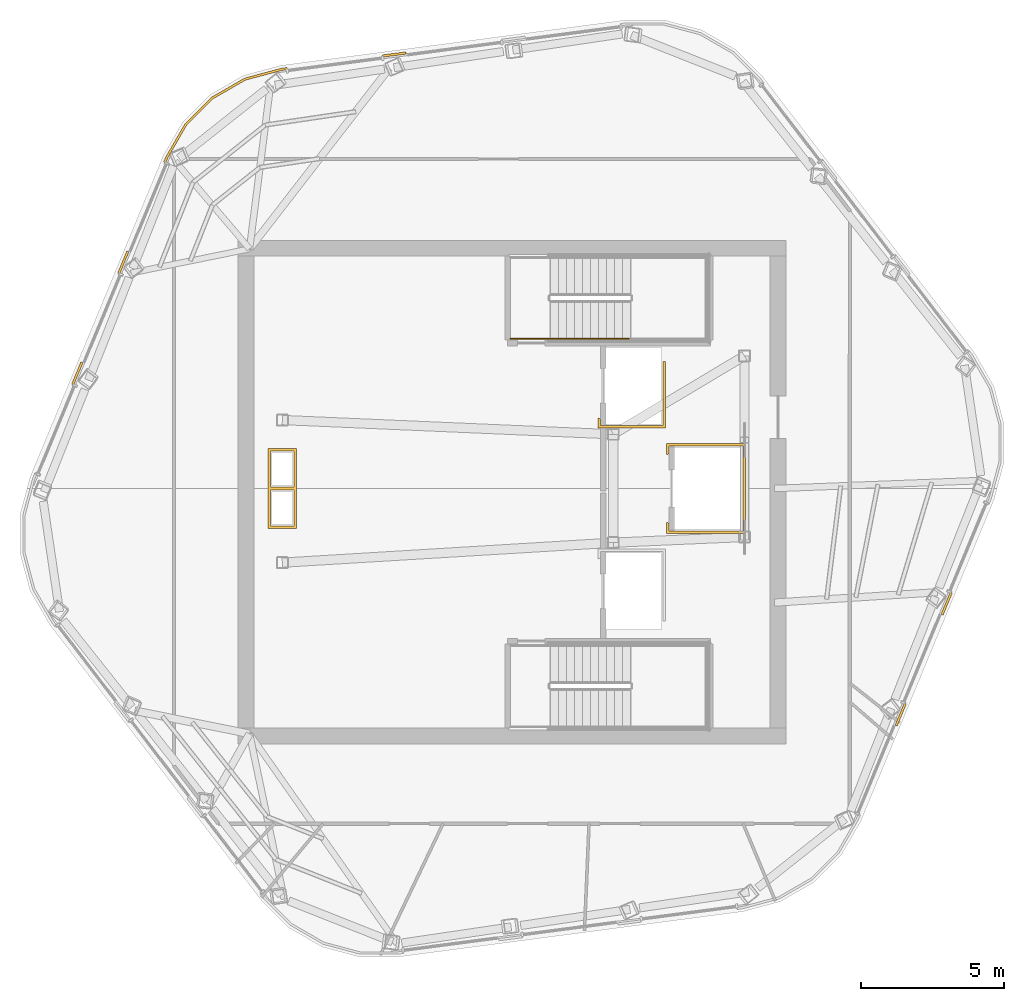
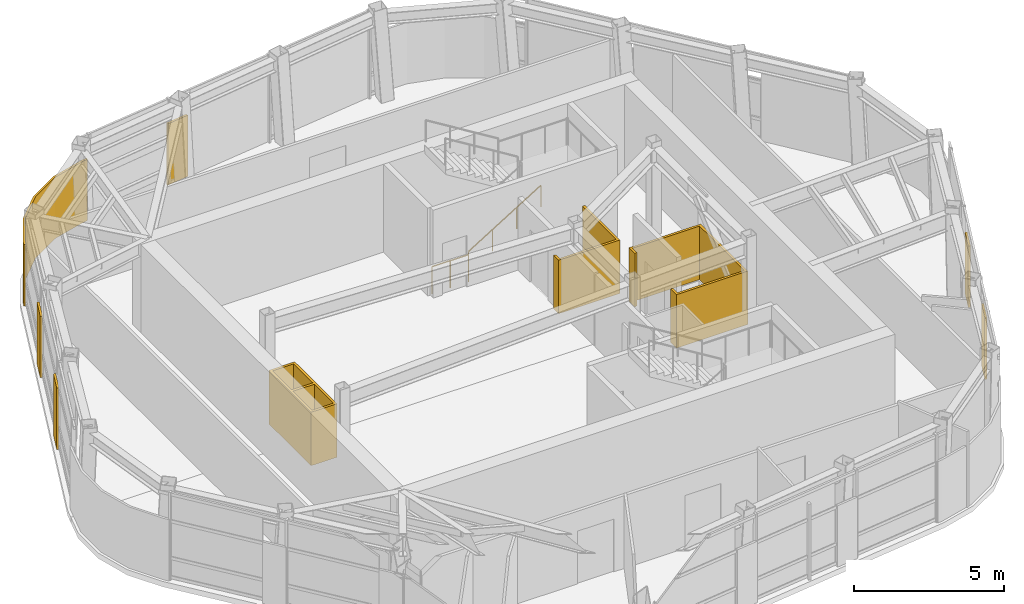
# One storey, part 8 of 9: 9 coverings, 2 railings.
"""IFC4 building model written with IfcOpenShell, lengths in metres."""

from ifc_helpers import new_model, si_unit, direction, frame, origin, origin_2d, place, context, subcontext, project, spatial, polyline, circle, outline, extrude, material, layer, layer_set, type_object, element, save


model = new_model("IFC4")

# Units and contexts
model_context = context("Model", 3, precision=1e-05, world=origin(), true_north=direction((0.0, 1.0)))
body_context = subcontext(model_context, "Body", "Model", "MODEL_VIEW")
ifc_project = project(units=[si_unit("LENGTHUNIT", "METRE"), si_unit("AREAUNIT", "SQUARE_METRE"), si_unit("VOLUMEUNIT", "CUBIC_METRE"), si_unit("PLANEANGLEUNIT", "RADIAN"), si_unit("MASSUNIT", "GRAM", prefix="KILO")], contexts=[model_context])

# Site, building, storey
site_placement = place(None, origin())
site = spatial("IfcSite", under=ifc_project, at=site_placement, CompositionType="ELEMENT")
building_placement = place(site_placement, origin())
building = spatial("IfcBuilding", under=site, at=building_placement, Name="Valkerne Bourse Tower", CompositionType="ELEMENT")
storey_placement = place(building_placement, frame((0.0, 0.0, 315.39990234375)))
storey = spatial("IfcBuildingStorey", under=building, at=storey_placement, Name="L80", CompositionType="ELEMENT", Elevation=315.39990234375)

# Coverings
ifc_material_1 = material(Name="Bronze Anodised Aluminium AA 6063-T6", Category="aluminium")
ifc_layer_1 = layer(ifc_material_1, 0.06005859375)
ifc_layer_set_1 = layer_set([ifc_layer_1], Name="Bronze Anodised Aluminium AA 6063-T6")
covering_type_1 = type_object("IfcCoveringType", Name="COV-CRN-ALUM", PredefinedType="CLADDING", material=ifc_layer_set_1)
covering_1_placement = place(storey_placement, origin())
element("IfcCovering", 1, at=covering_1_placement, inside=storey, type_object=covering_type_1, Name="L80 Wind-Shaped Corner Aluminium Cladding 02", PredefinedType="CLADDING", context=body_context, shape_type="SweptSolid", body=[
    extrude(outline(polyline([(61.914794921875, 22.564208984375), (61.8408203125, 22.594970703125), (62.162109375, 23.370849609375), (62.236083984375, 23.340087890625), (61.914794921875, 22.564208984375)])), origin(), (0.0, 0.0, 1.0), 2.5),
])
covering_2_placement = place(storey_placement, origin())
element("IfcCovering", 2, at=covering_2_placement, inside=storey, type_object=covering_type_1, Name="L80 Wind-Shaped Corner Aluminium Cladding 03", PredefinedType="CLADDING", context=body_context, shape_type="SweptSolid", body=[
    extrude(outline(polyline([(60.302978515625, 18.6728515625), (60.22900390625, 18.70361328125), (60.55029296875, 19.4794921875), (60.624267578125, 19.448974609375), (60.302978515625, 18.6728515625)])), origin(), (0.0, 0.0, 1.0), 2.5),
])
covering_3_placement = place(storey_placement, origin())
element("IfcCovering", 3, at=covering_3_placement, inside=storey, type_object=covering_type_1, Name="L80 Wind-Shaped Corner Aluminium Cladding 11", PredefinedType="CLADDING", context=body_context, shape_type="SweptSolid", body=[
    extrude(outline(polyline([(31.685302734375, 31.435791015625), (31.75927734375, 31.405029296875), (31.437744140625, 30.629150390625), (31.364013671875, 30.659912109375), (31.685302734375, 31.435791015625)])), origin(), (0.0, 0.0, 1.0), 2.5),
])
covering_4_placement = place(storey_placement, origin())
element("IfcCovering", 4, at=covering_4_placement, inside=storey, type_object=covering_type_1, Name="L80 Wind-Shaped Corner Aluminium Cladding 12", PredefinedType="CLADDING", context=body_context, shape_type="SweptSolid", body=[
    extrude(outline(polyline([(33.297119140625, 35.3271484375), (33.37109375, 35.29638671875), (33.049560546875, 34.5205078125), (32.9755859375, 34.551025390625), (33.297119140625, 35.3271484375)])), origin(), (0.0, 0.0, 1.0), 2.5),
])
covering_5_placement = place(storey_placement, origin())
element("IfcCovering", 5, at=covering_5_placement, inside=storey, type_object=covering_type_1, Name="L80 Wind-Shaped Corner Aluminium Cladding 13", PredefinedType="CLADDING", context=body_context, shape_type="SweptSolid", body=[
    extrude(outline(polyline([(34.66162109375, 38.62109375), (35.330322265625, 39.779541015625), (36.271728515625, 40.720703125), (37.424560546875, 41.386474609375), (38.716552734375, 41.732666015625), (38.908203125, 41.7578125), (38.918701171875, 41.678466796875), (38.732421875, 41.654052734375), (37.455322265625, 41.31201171875), (36.32080078125, 40.65673828125), (35.394287109375, 39.73046875), (34.7333984375, 38.58544921875), (34.66162109375, 38.411865234375), (34.587646484375, 38.442626953125), (34.66162109375, 38.62109375)])), origin(), (0.0, 0.0, 1.0), 2.5),
])
covering_6_placement = place(storey_placement, origin())
element("IfcCovering", 6, at=covering_6_placement, inside=storey, type_object=covering_type_1, Name="L80 Wind-Shaped Corner Aluminium Cladding 14", PredefinedType="CLADDING", context=body_context, shape_type="SweptSolid", body=[
    extrude(outline(polyline([(43.084228515625, 42.3076171875), (43.094482421875, 42.228271484375), (42.26171875, 42.11865234375), (42.25146484375, 42.197998046875), (43.084228515625, 42.3076171875)])), origin(), (0.0, 0.0, 1.0), 2.5),
])
ifc_material_2 = material(Name="Gypsum Shaftwall Liner Board", Category="gypsum")
ifc_layer_2 = layer(ifc_material_2, 0.080078125)
ifc_layer_set_2 = layer_set([ifc_layer_2], Name="Gypsum Shaftwall Liner Board")
covering_type_2 = type_object("IfcCoveringType", Name="COV-SHF-CLAD", PredefinedType="CLADDING", material=ifc_layer_set_2)
covering_7_placement = place(storey_placement, origin())
element("IfcCovering", 7, at=covering_7_placement, inside=storey, type_object=covering_type_2, Name="L80 Hoistway & Riser Shaftwall Liner 02", PredefinedType="CLADDING", context=body_context, shape_type="SweptSolid", body=[
    extrude(outline(polyline([(38.239990234375, 25.590087890625), (38.239990234375, 26.9599609375), (38.239990234375, 27.0400390625), (38.239990234375, 28.409912109375), (39.239990234375, 28.409912109375), (39.239990234375, 27.0400390625), (39.239990234375, 26.9599609375), (39.239990234375, 25.590087890625), (38.239990234375, 25.590087890625)]), holes=[polyline([(39.14990234375, 25.679931640625), (39.14990234375, 26.949951171875), (38.330078125, 26.949951171875), (38.330078125, 25.679931640625), (39.14990234375, 25.679931640625)]), polyline([(39.14990234375, 28.320068359375), (38.330078125, 28.320068359375), (38.330078125, 27.050048828125), (39.14990234375, 27.050048828125), (39.14990234375, 28.320068359375)])]), origin(), (0.0, 0.0, 1.0), 2.18017578125),
])
covering_8_placement = place(storey_placement, origin())
element("IfcCovering", 8, at=covering_8_placement, inside=storey, type_object=covering_type_2, Name="L80 Hoistway & Riser Shaftwall Liner 03", PredefinedType="CLADDING", context=body_context, shape_type="SweptSolid", body=[
    extrude(outline(polyline([(52.219970703125, 25.81787109375), (52.227783203125, 25.814208984375), (52.269287109375, 25.79931640625), (52.31005859375, 25.789306640625), (52.31005859375, 25.510009765625), (54.889892578125, 25.510009765625), (54.889892578125, 28.489990234375), (52.31005859375, 28.489990234375), (52.31005859375, 28.210693359375), (52.269287109375, 28.20068359375), (52.227783203125, 28.185791015625), (52.219970703125, 28.18212890625), (52.219970703125, 28.580078125), (54.97998046875, 28.580078125), (54.97998046875, 25.419921875), (52.219970703125, 25.419921875), (52.219970703125, 25.81787109375)])), origin(), (0.0, 0.0, 1.0), 2.18017578125),
])
covering_9_placement = place(storey_placement, origin())
element("IfcCovering", 9, at=covering_9_placement, inside=storey, type_object=covering_type_2, Name="L80 Hoistway & Riser Shaftwall Liner 04", PredefinedType="CLADDING", context=body_context, shape_type="SweptSolid", body=[
    extrude(outline(polyline([(49.909912109375, 29.2099609375), (52.090087890625, 29.2099609375), (52.090087890625, 31.449951171875), (52.179931640625, 31.449951171875), (52.179931640625, 29.1201171875), (49.820068359375, 29.1201171875), (49.820068359375, 29.468017578125), (49.827880859375, 29.46435546875), (49.869384765625, 29.449462890625), (49.909912109375, 29.439208984375), (49.909912109375, 29.2099609375)])), origin(), (0.0, 0.0, 1.0), 2.18017578125),
])

# Railings
ifc_material_3 = material(Name="Galvanised Painted Steel", Category="steel")
railing_type_1 = type_object("IfcRailingType", Name="RLG-ST-GUARD-1120", PredefinedType="GUARDRAIL", material=ifc_material_3)
railing_1_placement = place(storey_placement, frame((46.75, 32.25, 0.0)))
element("IfcRailing", 10, at=railing_1_placement, inside=storey, type_object=railing_type_1, Name="L80 ST-2 stair guard 8", PredefinedType="GUARDRAIL", context=body_context, shape_type="SweptSolid", body=[
    extrude(circle(Radius=0.02392578125, at=origin_2d()), frame((0.0, 0.0, 1.09619140625), z_axis=(1.0, 0.0, 0.0), x_axis=(0.0, 1.0, 0.0)), (0.0, 0.0, 1.0), 1.39990234375),
    extrude(circle(Radius=0.02099609375, at=origin_2d()), origin(), (0.0, 0.0, 1.0), 1.072021484375),
    extrude(circle(Radius=0.02099609375, at=origin_2d()), frame((0.699951171875, 0.0, 0.0)), (0.0, 0.0, 1.0), 1.072021484375),
    extrude(circle(Radius=0.02099609375, at=origin_2d()), frame((1.39990234375, 0.0, 0.0)), (0.0, 0.0, 1.0), 1.072021484375),
])
ifc_material_4 = material(Name="Stainless Steel AISI 316", Category="steel")
railing_type_2 = type_object("IfcRailingType", Name="RLG-ST-HANDRAIL-900", PredefinedType="HANDRAIL", material=ifc_material_4)
railing_2_placement = place(storey_placement, frame((48.14990234375, 32.25, 0.345458984375)))
element("IfcRailing", 11, at=railing_2_placement, inside=storey, type_object=railing_type_2, Name="L80 ST-2 stair handrail 1", PredefinedType="HANDRAIL", context=body_context, shape_type="SweptSolid", body=[
    extrude(circle(Radius=0.02392578125, at=origin_2d()), frame((0.0, 0.0, 0.8759765625), z_axis=(0.851089632645, 0.0, 0.525020415988), x_axis=(0.0, 1.0, 0.0)), (0.0, 0.0, 1.0), 3.2900390625),
    extrude(circle(Radius=0.02099609375, at=origin_2d()), origin(), (0.0, 0.0, 1.0), 0.851806640625),
    extrude(circle(Radius=0.02099609375, at=origin_2d()), frame((0.933349609375, 0.0, 0.57568359375)), (0.0, 0.0, 1.0), 0.851806640625),
    extrude(circle(Radius=0.02099609375, at=origin_2d()), frame((1.86669921875, 0.0, 1.151611328125)), (0.0, 0.0, 1.0), 0.851806640625),
    extrude(circle(Radius=0.02099609375, at=origin_2d()), frame((2.800048828125, 0.0, 1.727294921875)), (0.0, 0.0, 1.0), 0.851806640625),
])

save(model, "model.ifc")
